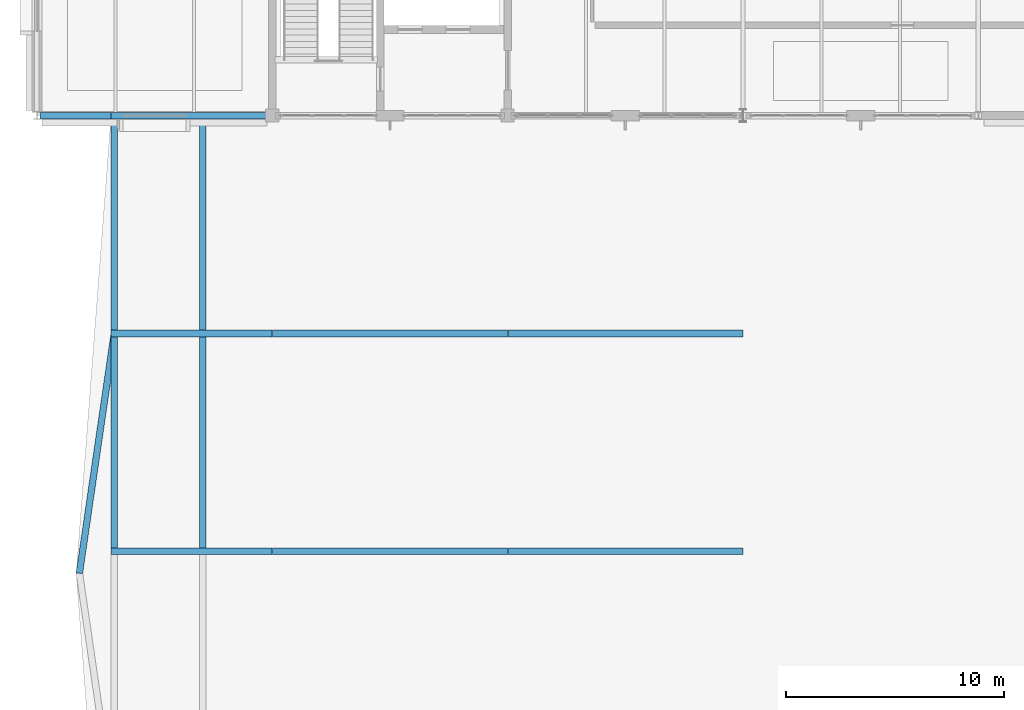
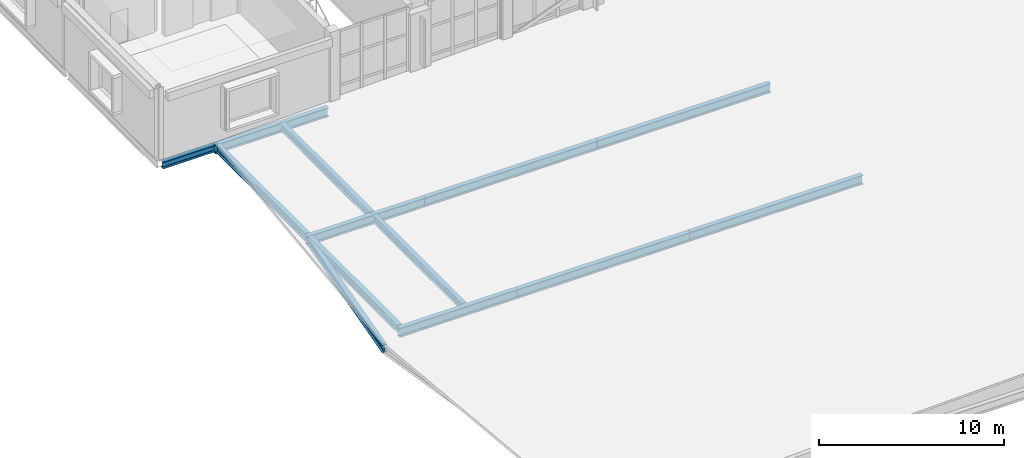
# One storey, part 13 of 86: 13 beams.
"""IFC4 building model written with IfcOpenShell, lengths in metres."""

from ifc_helpers import new_model, si_unit, direction, frame, origin, origin_2d, place, context, subcontext, project, spatial, i_section, extrude, material, material_profile, profile_set, type_object, element, save


model = new_model("IFC4")

# Units and contexts
model_context = context("Model", 3, precision=1e-05, world=origin(), true_north=direction((0.0, 1.0)))
body_context = subcontext(model_context, "Body", "Model", "MODEL_VIEW")
ifc_project = project(units=[si_unit("LENGTHUNIT", "METRE"), si_unit("AREAUNIT", "SQUARE_METRE"), si_unit("VOLUMEUNIT", "CUBIC_METRE"), si_unit("PLANEANGLEUNIT", "RADIAN"), si_unit("MASSUNIT", "GRAM", prefix="KILO")], contexts=[model_context])

# Site, building, storey
site_placement = place(None, origin())
site = spatial("IfcSite", under=ifc_project, at=site_placement, CompositionType="ELEMENT")
building_placement = place(site_placement, origin())
building = spatial("IfcBuilding", under=site, at=building_placement, Name="Tasgan Crest Museum", CompositionType="ELEMENT")
storey_placement = place(building_placement, frame((0.0, 0.0, 24.0)))
storey = spatial("IfcBuildingStorey", under=building, at=storey_placement, Name="L04", CompositionType="ELEMENT", Elevation=24.0)

# Beams
ifc_material_1 = material(Name="Steel S355K2", Category="steel")
ifc_material_profile_1 = material_profile(ifc_material_1, i_section(OverallWidth=0.300048828125, OverallDepth=0.60009765625, WebThickness=0.015380859375, FlangeThickness=0.030029296875, FilletRadius=0.027099609375, at=origin_2d()), Name="HEB 600")
ifc_profile_set_1 = profile_set([ifc_material_profile_1], Name="Steel S355K2")
beam_type_1 = type_object("IfcBeamType", Name="BM-CANT-G1", PredefinedType="BEAM", material=ifc_profile_set_1)
beam_1_placement = place(storey_placement, frame((3.39990234375, 62.0, -0.5400390625), z_axis=(1.0, 0.0, 0.0), x_axis=(0.0, 1.0, 0.0)))
element("IfcBeam", 1, at=beam_1_placement, inside=storey, type_object=beam_type_1, Name="Cantilever transfer girder TOP G", PredefinedType="BEAM", context=body_context, shape_type="SweptSolid", body=[
    extrude(i_section(OverallWidth=0.300048828125, OverallDepth=0.60009765625, WebThickness=0.015380859375, FlangeThickness=0.030029296875, FilletRadius=0.027099609375, at=origin_2d()), origin(), (0.0, 0.0, 1.0), 7.394287109375),
])
for number, where, z_axis, x_axis, name in (
    (2, (10.8056640625, 62.0, -0.5400390625), (1.0, 0.0, 0.0), (0.0, 1.0, 0.0), "Transfer back-span girder 1 TOP G"),
    (3, (21.605712890625, 62.0, -0.5400390625), (1.0, 0.0, 0.0), (0.0, 1.0, 0.0), "Transfer back-span girder 2 TOP G"),
):
    element("IfcBeam", number, at=place(storey_placement, frame(where, z_axis=z_axis, x_axis=x_axis)), inside=storey, type_object=beam_type_1, Name=name, PredefinedType="BEAM", context=body_context, shape_type="SweptSolid", body=[
        extrude(i_section(OverallWidth=0.300048828125, OverallDepth=0.60009765625, WebThickness=0.015380859375, FlangeThickness=0.030029296875, FilletRadius=0.027099609375, at=origin_2d()), origin(), (0.0, 0.0, 1.0), 10.78857421875),
    ])
beam_2_placement = place(storey_placement, frame((3.39990234375, 72.0, -0.5400390625), z_axis=(1.0, 0.0, 0.0), x_axis=(0.0, 1.0, 0.0)))
element("IfcBeam", 4, at=beam_2_placement, inside=storey, type_object=beam_type_1, Name="Cantilever transfer girder TOP H", PredefinedType="BEAM", context=body_context, shape_type="SweptSolid", body=[
    extrude(i_section(OverallWidth=0.300048828125, OverallDepth=0.60009765625, WebThickness=0.015380859375, FlangeThickness=0.030029296875, FilletRadius=0.027099609375, at=origin_2d()), origin(), (0.0, 0.0, 1.0), 7.394287109375),
])
for number, where, z_axis, x_axis, name in (
    (5, (10.8056640625, 72.0, -0.5400390625), (1.0, 0.0, 0.0), (0.0, 1.0, 0.0), "Transfer back-span girder 1 TOP H"),
    (6, (21.605712890625, 72.0, -0.5400390625), (1.0, 0.0, 0.0), (0.0, 1.0, 0.0), "Transfer back-span girder 2 TOP H"),
):
    element("IfcBeam", number, at=place(storey_placement, frame(where, z_axis=z_axis, x_axis=x_axis)), inside=storey, type_object=beam_type_1, Name=name, PredefinedType="BEAM", context=body_context, shape_type="SweptSolid", body=[
        extrude(i_section(OverallWidth=0.300048828125, OverallDepth=0.60009765625, WebThickness=0.015380859375, FlangeThickness=0.030029296875, FilletRadius=0.027099609375, at=origin_2d()), origin(), (0.0, 0.0, 1.0), 10.78857421875),
    ])
beam_3_placement = place(storey_placement, frame((3.39990234375, 82.0, -0.5400390625), z_axis=(1.0, 0.0, 0.0), x_axis=(0.0, 1.0, 0.0)))
element("IfcBeam", 7, at=beam_3_placement, inside=storey, type_object=beam_type_1, Name="Cantilever transfer girder TOP J", PredefinedType="BEAM", context=body_context, shape_type="SweptSolid", body=[
    extrude(i_section(OverallWidth=0.300048828125, OverallDepth=0.60009765625, WebThickness=0.015380859375, FlangeThickness=0.030029296875, FilletRadius=0.027099609375, at=origin_2d()), origin(), (0.0, 0.0, 1.0), 7.10400390625),
])
ifc_material_2 = material(Name="Steel S355J2", Category="steel")
ifc_material_profile_2 = material_profile(ifc_material_2, i_section(OverallWidth=0.300048828125, OverallDepth=0.43994140625, WebThickness=0.011474609375, FlangeThickness=0.02099609375, FilletRadius=0.027099609375, at=origin_2d()), Name="HEA 450")
ifc_profile_set_2 = profile_set([ifc_material_profile_2], Name="Steel S355J2")
beam_type_2 = type_object("IfcBeamType", Name="BM-G-HEA450", PredefinedType="BEAM", material=ifc_profile_set_2)
beam_4_placement = place(storey_placement, frame((0.14501953125, 82.0, -0.4599609375), z_axis=(1.0, 0.0, 0.0), x_axis=(0.0, 1.0, 0.0)))
element("IfcBeam", 8, at=beam_4_placement, inside=storey, type_object=beam_type_2, Name="Girder L04 J 0.0-4.4", PredefinedType="BEAM", context=body_context, shape_type="SweptSolid", body=[
    extrude(i_section(OverallWidth=0.300048828125, OverallDepth=0.43994140625, WebThickness=0.011474609375, FlangeThickness=0.02099609375, FilletRadius=0.027099609375, at=origin_2d()), origin(), (0.0, 0.0, 1.0), 3.2548828125),
])
ifc_material_3 = material(Name="Steel S355J2", Category="steel")
ifc_material_profile_3 = material_profile(ifc_material_3, i_section(OverallWidth=0.300048828125, OverallDepth=0.489990234375, WebThickness=0.011962890625, FlangeThickness=0.02294921875, FilletRadius=0.027099609375, at=origin_2d()), Name="HEA 500")
ifc_profile_set_3 = profile_set([ifc_material_profile_3], Name="Steel S355J2")
beam_type_3 = type_object("IfcBeamType", Name="BM-G-HEA500", PredefinedType="BEAM", material=ifc_profile_set_3)
for number, where, z_axis, x_axis, name in (
    (9, (3.550048828125, 62.14990234375, -0.445068359375), (0.0, 1.0, 0.0), (-1.0, 0.0, 0.0), "Cantilever edge beam L04 TIP 62-72"),
    (10, (7.60009765625, 62.14990234375, -0.445068359375), (0.0, 1.0, 0.0), (-1.0, 0.0, 0.0), "Cantilever edge beam L04 MID 62-72"),
    (11, (3.550048828125, 72.14990234375, -0.445068359375), (0.0, 1.0, 0.0), (-1.0, 0.0, 0.0), "Cantilever edge beam L04 TIP 72-82"),
    (12, (7.60009765625, 72.14990234375, -0.445068359375), (0.0, 1.0, 0.0), (-1.0, 0.0, 0.0), "Cantilever edge beam L04 MID 72-82"),
):
    element("IfcBeam", number, at=place(storey_placement, frame(where, z_axis=z_axis, x_axis=x_axis)), inside=storey, type_object=beam_type_3, Name=name, PredefinedType="BEAM", context=body_context, shape_type="SweptSolid", body=[
        extrude(i_section(OverallWidth=0.300048828125, OverallDepth=0.489990234375, WebThickness=0.011962890625, FlangeThickness=0.02294921875, FilletRadius=0.027099609375, at=origin_2d()), origin(), (0.0, 0.0, 1.0), 9.7001953125),
    ])
beam_5_placement = place(storey_placement, frame((1.949951171875, 61.0, -0.5400390625), z_axis=(0.143948449067, 0.98958518785, 0.0), x_axis=(-0.98958518785, 0.143948449067, 0.0)))
element("IfcBeam", 13, at=beam_5_placement, inside=storey, type_object=beam_type_3, Name="Cantilever prow north girder L04", PredefinedType="BEAM", context=body_context, shape_type="SweptSolid", body=[
    extrude(i_section(OverallWidth=0.300048828125, OverallDepth=0.489990234375, WebThickness=0.011962890625, FlangeThickness=0.02294921875, FilletRadius=0.027099609375, at=origin_2d()), origin(), (0.0, 0.0, 1.0), 11.11572265625),
])

save(model, "model.ifc")
